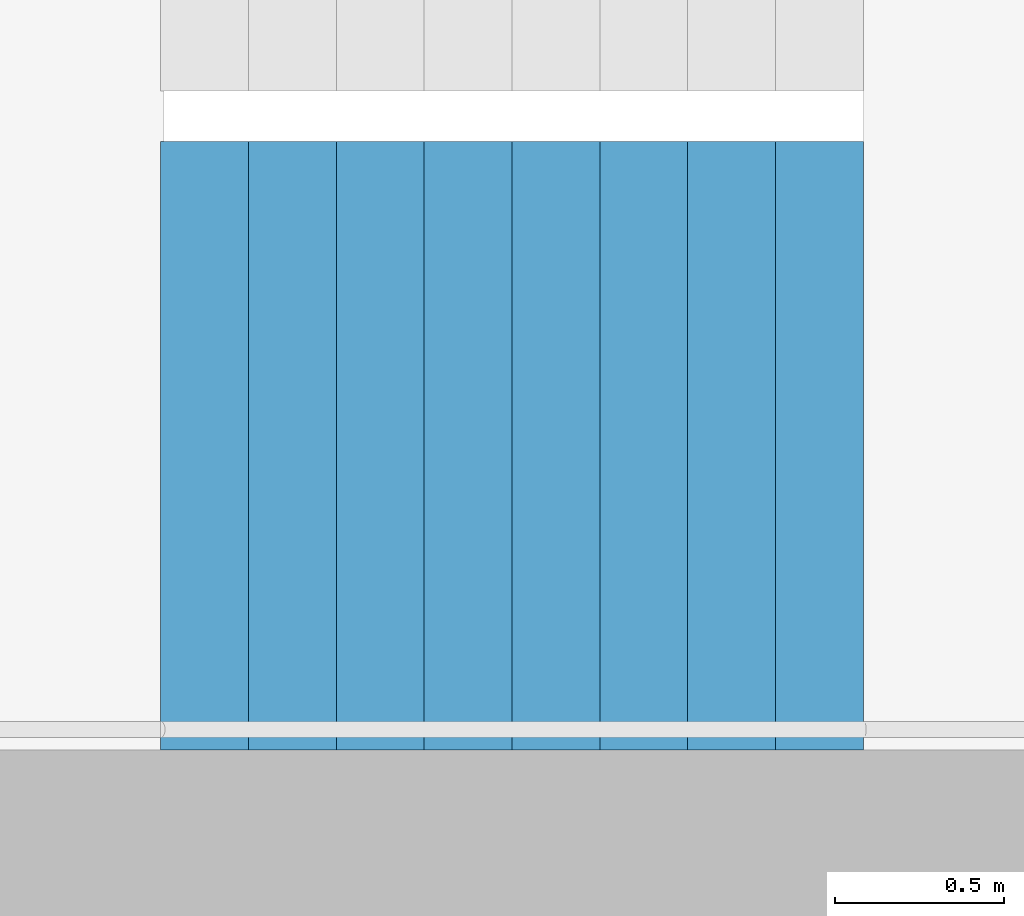
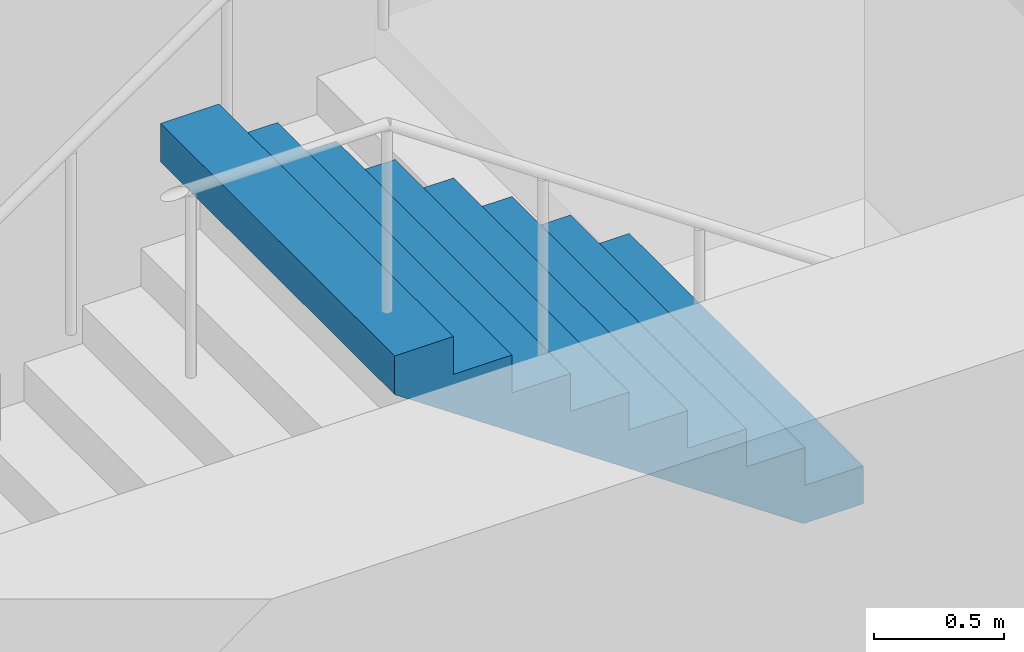
# One storey, part 25 of 36: 1 stair flight, 1 element without a shape of its own.
"""IFC4 building model written with IfcOpenShell, lengths in metres."""

from ifc_helpers import new_model, si_unit, direction, frame, origin, place, context, subcontext, project, spatial, triangles, material, type_object, element, aggregate, save


model = new_model("IFC4")

# Units and contexts
model_context = context("Model", 3, precision=1e-05, world=origin(), true_north=direction((0.0, 1.0)))
body_context = subcontext(model_context, "Body", "Model", "MODEL_VIEW")
ifc_project = project(units=[si_unit("LENGTHUNIT", "METRE"), si_unit("AREAUNIT", "SQUARE_METRE"), si_unit("VOLUMEUNIT", "CUBIC_METRE"), si_unit("PLANEANGLEUNIT", "RADIAN"), si_unit("MASSUNIT", "GRAM", prefix="KILO")], contexts=[model_context])

# Site, building, storey
site_placement = place(None, origin())
site = spatial("IfcSite", under=ifc_project, at=site_placement, CompositionType="ELEMENT")
building_placement = place(site_placement, origin())
building = spatial("IfcBuilding", under=site, at=building_placement, Name="Hakoniwa Tower and Hamabe Station Hall", CompositionType="ELEMENT")
storey_placement = place(building_placement, frame((0.0, 0.0, 26.199951171875)))
storey = spatial("IfcBuildingStorey", under=building, at=storey_placement, Name="L06", CompositionType="ELEMENT", Elevation=26.199951171875)

# Stair, stair flight
ifc_material_1 = material(Name="Concrete C40", Category="concrete")
stair_type = type_object("IfcStairType", Name="ESCAPE STAIR 1800", PredefinedType="HALF_TURN_STAIR", material=ifc_material_1)
stair_placement = place(storey_placement, origin())
stair = element("IfcStair", 1, at=stair_placement, inside=storey, type_object=stair_type, Name="Escape stair ST-4 L06", PredefinedType="HALF_TURN_STAIR")
ifc_material_2 = material(Name="Concrete C40", Category="concrete")
stair_flight_type = type_object("IfcStairFlightType", Name="STAIR FLIGHT 1800", PredefinedType="STRAIGHT", material=ifc_material_2)
stair_flight_placement = place(storey_placement, frame((25.47998046875, -6.60009765625, 1.60009765625), z_axis=(0.0, 0.0, 1.0), x_axis=(-1.0, 0.0, 0.0)))
stair_flight = element("IfcStairFlight", 2, at=stair_flight_placement, type_object=stair_flight_type, Name="ST-4 flight 2", NumberOfRisers=9, NumberOfTreads=8, PredefinedType="STRAIGHT", RiserHeight=0.177777778, TreadLength=0.26, context=body_context, shape_type="Tessellation", body=[
    triangles([(0.0, 0.89990234375, 0.0), (0.260009765625, 0.89990234375, 0.0), (0.265625, 0.89990234375, 0.0), (0.52001953125, 0.89990234375, 0.174072265625), (0.780029296875, 0.89990234375, 0.351806640625), (1.0400390625, 0.89990234375, 0.529541015625), (1.300048828125, 0.89990234375, 0.707275390625), (1.56005859375, 0.89990234375, 0.885009765625), (1.820068359375, 0.89990234375, 1.062744140625), (2.080078125, 0.89990234375, 1.24072265625), (2.080078125, 0.89990234375, 1.422119140625), (1.820068359375, 0.89990234375, 1.422119140625), (1.820068359375, 0.89990234375, 1.244384765625), (1.56005859375, 0.89990234375, 1.244384765625), (1.56005859375, 0.89990234375, 1.066650390625), (1.300048828125, 0.89990234375, 1.066650390625), (1.300048828125, 0.89990234375, 0.888916015625), (1.0400390625, 0.89990234375, 0.888916015625), (1.0400390625, 0.89990234375, 0.711181640625), (0.780029296875, 0.89990234375, 0.711181640625), (0.780029296875, 0.89990234375, 0.533447265625), (0.52001953125, 0.89990234375, 0.533447265625), (0.52001953125, 0.89990234375, 0.35546875), (0.265625, 0.89990234375, 0.35546875), (0.260009765625, 0.89990234375, 0.35546875), (0.260009765625, 0.89990234375, 0.177734375), (0.0, 0.89990234375, 0.177734375), (0.0, 0.06005859375, 0.0), (0.260009765625, 0.06005859375, 0.0), (0.265625, 0.06005859375, 0.0), (0.52001953125, 0.06005859375, 0.174072265625), (0.780029296875, 0.06005859375, 0.351806640625), (1.0400390625, 0.06005859375, 0.529541015625), (1.300048828125, 0.06005859375, 0.707275390625), (1.56005859375, 0.06005859375, 0.885009765625), (1.820068359375, 0.06005859375, 1.062744140625), (2.080078125, 0.06005859375, 1.24072265625), (2.080078125, 0.06005859375, 1.422119140625), (1.820068359375, 0.06005859375, 1.422119140625), (1.820068359375, 0.06005859375, 1.244384765625), (1.56005859375, 0.06005859375, 1.244384765625), (1.56005859375, 0.06005859375, 1.066650390625), (1.300048828125, 0.06005859375, 1.066650390625), (1.300048828125, 0.06005859375, 0.888916015625), (1.0400390625, 0.06005859375, 0.888916015625), (1.0400390625, 0.06005859375, 0.711181640625), (0.780029296875, 0.06005859375, 0.711181640625), (0.780029296875, 0.06005859375, 0.533447265625), (0.52001953125, 0.06005859375, 0.533447265625), (0.52001953125, 0.06005859375, 0.35546875), (0.265625, 0.06005859375, 0.35546875), (0.260009765625, 0.06005859375, 0.35546875), (0.260009765625, 0.06005859375, 0.177734375), (0.0, 0.06005859375, 0.177734375), (0.0, 0.04296875, 0.0), (0.260009765625, 0.04296875, 0.0), (0.265625, 0.04296875, 0.0), (0.52001953125, 0.04296875, 0.174072265625), (0.780029296875, 0.04296875, 0.351806640625), (1.0400390625, 0.04296875, 0.529541015625), (1.300048828125, 0.04296875, 0.707275390625), (1.56005859375, 0.04296875, 0.885009765625), (1.820068359375, 0.04296875, 1.062744140625), (2.080078125, 0.04296875, 1.24072265625), (2.080078125, 0.04296875, 1.422119140625), (1.820068359375, 0.04296875, 1.422119140625), (1.820068359375, 0.04296875, 1.244384765625), (1.56005859375, 0.04296875, 1.244384765625), (1.56005859375, 0.04296875, 1.066650390625), (1.300048828125, 0.04296875, 1.066650390625), (1.300048828125, 0.04296875, 0.888916015625), (1.0400390625, 0.04296875, 0.888916015625), (1.0400390625, 0.04296875, 0.711181640625), (0.780029296875, 0.04296875, 0.711181640625), (0.780029296875, 0.04296875, 0.533447265625), (0.52001953125, 0.04296875, 0.533447265625), (0.52001953125, 0.04296875, 0.35546875), (0.265625, 0.04296875, 0.35546875), (0.260009765625, 0.04296875, 0.35546875), (0.260009765625, 0.04296875, 0.177734375), (0.0, 0.04296875, 0.177734375), (0.0, 0.025634765625, 0.0), (0.260009765625, 0.025634765625, 0.0), (0.265625, 0.025634765625, 0.0), (0.52001953125, 0.025634765625, 0.174072265625), (0.780029296875, 0.025634765625, 0.351806640625), (1.0400390625, 0.025634765625, 0.529541015625), (1.300048828125, 0.025634765625, 0.707275390625), (1.56005859375, 0.025634765625, 0.885009765625), (1.820068359375, 0.025634765625, 1.062744140625), (2.080078125, 0.025634765625, 1.24072265625), (2.080078125, 0.025634765625, 1.422119140625), (1.820068359375, 0.025634765625, 1.422119140625), (1.820068359375, 0.025634765625, 1.244384765625), (1.56005859375, 0.025634765625, 1.244384765625), (1.56005859375, 0.025634765625, 1.066650390625), (1.300048828125, 0.025634765625, 1.066650390625), (1.300048828125, 0.025634765625, 0.888916015625), (1.0400390625, 0.025634765625, 0.888916015625), (1.0400390625, 0.025634765625, 0.711181640625), (0.780029296875, 0.025634765625, 0.711181640625), (0.780029296875, 0.025634765625, 0.533447265625), (0.52001953125, 0.025634765625, 0.533447265625), (0.52001953125, 0.025634765625, 0.35546875), (0.265625, 0.025634765625, 0.35546875), (0.260009765625, 0.025634765625, 0.35546875), (0.260009765625, 0.025634765625, 0.177734375), (0.0, 0.025634765625, 0.177734375), (0.0, 0.008544921875, 0.0), (0.260009765625, 0.008544921875, 0.0), (0.265625, 0.008544921875, 0.0), (0.52001953125, 0.008544921875, 0.174072265625), (0.780029296875, 0.008544921875, 0.351806640625), (1.0400390625, 0.008544921875, 0.529541015625), (1.300048828125, 0.008544921875, 0.707275390625), (1.56005859375, 0.008544921875, 0.885009765625), (1.820068359375, 0.008544921875, 1.062744140625), (2.080078125, 0.008544921875, 1.24072265625), (2.080078125, 0.008544921875, 1.422119140625), (1.820068359375, 0.008544921875, 1.422119140625), (1.820068359375, 0.008544921875, 1.244384765625), (1.56005859375, 0.008544921875, 1.244384765625), (1.56005859375, 0.008544921875, 1.066650390625), (1.300048828125, 0.008544921875, 1.066650390625), (1.300048828125, 0.008544921875, 0.888916015625), (1.0400390625, 0.008544921875, 0.888916015625), (1.0400390625, 0.008544921875, 0.711181640625), (0.780029296875, 0.008544921875, 0.711181640625), (0.780029296875, 0.008544921875, 0.533447265625), (0.52001953125, 0.008544921875, 0.533447265625), (0.52001953125, 0.008544921875, 0.35546875), (0.265625, 0.008544921875, 0.35546875), (0.260009765625, 0.008544921875, 0.35546875), (0.260009765625, 0.008544921875, 0.177734375), (0.0, 0.008544921875, 0.177734375), (0.0, -0.008544921875, 0.0), (0.260009765625, -0.008544921875, 0.0), (0.265625, -0.008544921875, 0.0), (0.52001953125, -0.008544921875, 0.174072265625), (0.780029296875, -0.008544921875, 0.351806640625), (1.0400390625, -0.008544921875, 0.529541015625), (1.300048828125, -0.008544921875, 0.707275390625), (1.56005859375, -0.008544921875, 0.885009765625), (1.820068359375, -0.008544921875, 1.062744140625), (2.080078125, -0.008544921875, 1.24072265625), (2.080078125, -0.008544921875, 1.422119140625), (1.820068359375, -0.008544921875, 1.422119140625), (1.820068359375, -0.008544921875, 1.244384765625), (1.56005859375, -0.008544921875, 1.244384765625), (1.56005859375, -0.008544921875, 1.066650390625), (1.300048828125, -0.008544921875, 1.066650390625), (1.300048828125, -0.008544921875, 0.888916015625), (1.0400390625, -0.008544921875, 0.888916015625), (1.0400390625, -0.008544921875, 0.711181640625), (0.780029296875, -0.008544921875, 0.711181640625), (0.780029296875, -0.008544921875, 0.533447265625), (0.52001953125, -0.008544921875, 0.533447265625), (0.52001953125, -0.008544921875, 0.35546875), (0.265625, -0.008544921875, 0.35546875), (0.260009765625, -0.008544921875, 0.35546875), (0.260009765625, -0.008544921875, 0.177734375), (0.0, -0.008544921875, 0.177734375), (0.0, -0.025634765625, 0.0), (0.260009765625, -0.025634765625, 0.0), (0.265625, -0.025634765625, 0.0), (0.52001953125, -0.025634765625, 0.174072265625), (0.780029296875, -0.025634765625, 0.351806640625), (1.0400390625, -0.025634765625, 0.529541015625), (1.300048828125, -0.025634765625, 0.707275390625), (1.56005859375, -0.025634765625, 0.885009765625), (1.820068359375, -0.025634765625, 1.062744140625), (2.080078125, -0.025634765625, 1.24072265625), (2.080078125, -0.025634765625, 1.422119140625), (1.820068359375, -0.025634765625, 1.422119140625), (1.820068359375, -0.025634765625, 1.244384765625), (1.56005859375, -0.025634765625, 1.244384765625), (1.56005859375, -0.025634765625, 1.066650390625), (1.300048828125, -0.025634765625, 1.066650390625), (1.300048828125, -0.025634765625, 0.888916015625), (1.0400390625, -0.025634765625, 0.888916015625), (1.0400390625, -0.025634765625, 0.711181640625), (0.780029296875, -0.025634765625, 0.711181640625), (0.780029296875, -0.025634765625, 0.533447265625), (0.52001953125, -0.025634765625, 0.533447265625), (0.52001953125, -0.025634765625, 0.35546875), (0.265625, -0.025634765625, 0.35546875), (0.260009765625, -0.025634765625, 0.35546875), (0.260009765625, -0.025634765625, 0.177734375), (0.0, -0.025634765625, 0.177734375), (0.0, -0.04296875, 0.0), (0.260009765625, -0.04296875, 0.0), (0.265625, -0.04296875, 0.0), (0.52001953125, -0.04296875, 0.174072265625), (0.780029296875, -0.04296875, 0.351806640625), (1.0400390625, -0.04296875, 0.529541015625), (1.300048828125, -0.04296875, 0.707275390625), (1.56005859375, -0.04296875, 0.885009765625), (1.820068359375, -0.04296875, 1.062744140625), (2.080078125, -0.04296875, 1.24072265625), (2.080078125, -0.04296875, 1.422119140625), (1.820068359375, -0.04296875, 1.422119140625), (1.820068359375, -0.04296875, 1.244384765625), (1.56005859375, -0.04296875, 1.244384765625), (1.56005859375, -0.04296875, 1.066650390625), (1.300048828125, -0.04296875, 1.066650390625), (1.300048828125, -0.04296875, 0.888916015625), (1.0400390625, -0.04296875, 0.888916015625), (1.0400390625, -0.04296875, 0.711181640625), (0.780029296875, -0.04296875, 0.711181640625), (0.780029296875, -0.04296875, 0.533447265625), (0.52001953125, -0.04296875, 0.533447265625), (0.52001953125, -0.04296875, 0.35546875), (0.265625, -0.04296875, 0.35546875), (0.260009765625, -0.04296875, 0.35546875), (0.260009765625, -0.04296875, 0.177734375), (0.0, -0.04296875, 0.177734375), (0.0, -0.06005859375, 0.0), (0.260009765625, -0.06005859375, 0.0), (0.265625, -0.06005859375, 0.0), (0.52001953125, -0.06005859375, 0.174072265625), (0.780029296875, -0.06005859375, 0.351806640625), (1.0400390625, -0.06005859375, 0.529541015625), (1.300048828125, -0.06005859375, 0.707275390625), (1.56005859375, -0.06005859375, 0.885009765625), (1.820068359375, -0.06005859375, 1.062744140625), (2.080078125, -0.06005859375, 1.24072265625), (2.080078125, -0.06005859375, 1.422119140625), (1.820068359375, -0.06005859375, 1.422119140625), (1.820068359375, -0.06005859375, 1.244384765625), (1.56005859375, -0.06005859375, 1.244384765625), (1.56005859375, -0.06005859375, 1.066650390625), (1.300048828125, -0.06005859375, 1.066650390625), (1.300048828125, -0.06005859375, 0.888916015625), (1.0400390625, -0.06005859375, 0.888916015625), (1.0400390625, -0.06005859375, 0.711181640625), (0.780029296875, -0.06005859375, 0.711181640625), (0.780029296875, -0.06005859375, 0.533447265625), (0.52001953125, -0.06005859375, 0.533447265625), (0.52001953125, -0.06005859375, 0.35546875), (0.265625, -0.06005859375, 0.35546875), (0.260009765625, -0.06005859375, 0.35546875), (0.260009765625, -0.06005859375, 0.177734375), (0.0, -0.06005859375, 0.177734375), (0.0, -0.89990234375, 0.0), (0.260009765625, -0.89990234375, 0.0), (0.265625, -0.89990234375, 0.0), (0.52001953125, -0.89990234375, 0.174072265625), (0.780029296875, -0.89990234375, 0.351806640625), (1.0400390625, -0.89990234375, 0.529541015625), (1.300048828125, -0.89990234375, 0.707275390625), (1.56005859375, -0.89990234375, 0.885009765625), (1.820068359375, -0.89990234375, 1.062744140625), (2.080078125, -0.89990234375, 1.24072265625), (2.080078125, -0.89990234375, 1.422119140625), (1.820068359375, -0.89990234375, 1.422119140625), (1.820068359375, -0.89990234375, 1.244384765625), (1.56005859375, -0.89990234375, 1.244384765625), (1.56005859375, -0.89990234375, 1.066650390625), (1.300048828125, -0.89990234375, 1.066650390625), (1.300048828125, -0.89990234375, 0.888916015625), (1.0400390625, -0.89990234375, 0.888916015625), (1.0400390625, -0.89990234375, 0.711181640625), (0.780029296875, -0.89990234375, 0.711181640625), (0.780029296875, -0.89990234375, 0.533447265625), (0.52001953125, -0.89990234375, 0.533447265625), (0.52001953125, -0.89990234375, 0.35546875), (0.265625, -0.89990234375, 0.35546875), (0.260009765625, -0.89990234375, 0.35546875), (0.260009765625, -0.89990234375, 0.177734375), (0.0, -0.89990234375, 0.177734375)], [[2, 27, 26], [245, 269, 270], [2, 1, 27], [245, 270, 244], [3, 25, 24], [246, 267, 268], [3, 26, 25], [246, 268, 269], [3, 2, 26], [246, 269, 245], [4, 24, 23], [247, 266, 267], [4, 3, 24], [247, 267, 246], [5, 22, 21], [248, 264, 265], [5, 23, 22], [248, 265, 266], [5, 4, 23], [248, 266, 247], [6, 20, 19], [249, 262, 263], [6, 21, 20], [249, 263, 264], [6, 5, 21], [249, 264, 248], [7, 18, 17], [250, 260, 261], [7, 19, 18], [250, 261, 262], [7, 6, 19], [250, 262, 249], [8, 16, 15], [251, 258, 259], [8, 17, 16], [251, 259, 260], [8, 7, 17], [251, 260, 250], [9, 14, 13], [252, 256, 257], [9, 15, 14], [252, 257, 258], [9, 8, 15], [252, 258, 251], [10, 12, 11], [253, 254, 255], [10, 13, 12], [253, 255, 256], [10, 9, 13], [253, 256, 252], [1, 2, 29], [1, 29, 28], [28, 29, 56], [28, 56, 55], [55, 56, 83], [55, 83, 82], [82, 83, 110], [82, 110, 109], [109, 110, 137], [109, 137, 136], [136, 137, 164], [136, 164, 163], [163, 164, 191], [163, 191, 190], [190, 191, 218], [190, 218, 217], [217, 218, 245], [217, 245, 244], [2, 3, 30], [2, 30, 29], [29, 30, 57], [29, 57, 56], [56, 57, 84], [56, 84, 83], [83, 84, 111], [83, 111, 110], [110, 111, 138], [110, 138, 137], [137, 138, 165], [137, 165, 164], [164, 165, 192], [164, 192, 191], [191, 192, 219], [191, 219, 218], [218, 219, 246], [218, 246, 245], [3, 4, 31], [3, 31, 30], [30, 31, 58], [30, 58, 57], [57, 58, 85], [57, 85, 84], [84, 85, 112], [84, 112, 111], [111, 112, 139], [111, 139, 138], [138, 139, 166], [138, 166, 165], [165, 166, 193], [165, 193, 192], [192, 193, 220], [192, 220, 219], [219, 220, 247], [219, 247, 246], [4, 5, 32], [4, 32, 31], [31, 32, 59], [31, 59, 58], [58, 59, 86], [58, 86, 85], [85, 86, 113], [85, 113, 112], [112, 113, 140], [112, 140, 139], [139, 140, 167], [139, 167, 166], [166, 167, 194], [166, 194, 193], [193, 194, 221], [193, 221, 220], [220, 221, 248], [220, 248, 247], [5, 6, 33], [5, 33, 32], [32, 33, 60], [32, 60, 59], [59, 60, 87], [59, 87, 86], [86, 87, 114], [86, 114, 113], [113, 114, 141], [113, 141, 140], [140, 141, 168], [140, 168, 167], [167, 168, 195], [167, 195, 194], [194, 195, 222], [194, 222, 221], [221, 222, 249], [221, 249, 248], [6, 7, 34], [6, 34, 33], [33, 34, 61], [33, 61, 60], [60, 61, 88], [60, 88, 87], [87, 88, 115], [87, 115, 114], [114, 115, 142], [114, 142, 141], [141, 142, 169], [141, 169, 168], [168, 169, 196], [168, 196, 195], [195, 196, 223], [195, 223, 222], [222, 223, 250], [222, 250, 249], [7, 8, 35], [7, 35, 34], [34, 35, 62], [34, 62, 61], [61, 62, 89], [61, 89, 88], [88, 89, 116], [88, 116, 115], [115, 116, 143], [115, 143, 142], [142, 143, 170], [142, 170, 169], [169, 170, 197], [169, 197, 196], [196, 197, 224], [196, 224, 223], [223, 224, 251], [223, 251, 250], [8, 9, 36], [8, 36, 35], [35, 36, 63], [35, 63, 62], [62, 63, 90], [62, 90, 89], [89, 90, 117], [89, 117, 116], [116, 117, 144], [116, 144, 143], [143, 144, 171], [143, 171, 170], [170, 171, 198], [170, 198, 197], [197, 198, 225], [197, 225, 224], [224, 225, 252], [224, 252, 251], [9, 10, 37], [9, 37, 36], [36, 37, 64], [36, 64, 63], [63, 64, 91], [63, 91, 90], [90, 91, 118], [90, 118, 117], [117, 118, 145], [117, 145, 144], [144, 145, 172], [144, 172, 171], [171, 172, 199], [171, 199, 198], [198, 199, 226], [198, 226, 225], [225, 226, 253], [225, 253, 252], [10, 11, 38], [10, 38, 37], [37, 38, 65], [37, 65, 64], [64, 65, 92], [64, 92, 91], [91, 92, 119], [91, 119, 118], [118, 119, 146], [118, 146, 145], [145, 146, 173], [145, 173, 172], [172, 173, 200], [172, 200, 199], [199, 200, 227], [199, 227, 226], [226, 227, 254], [226, 254, 253], [11, 12, 39], [11, 39, 38], [38, 39, 66], [38, 66, 65], [65, 66, 93], [65, 93, 92], [92, 93, 120], [92, 120, 119], [119, 120, 147], [119, 147, 146], [146, 147, 174], [146, 174, 173], [173, 174, 201], [173, 201, 200], [200, 201, 228], [200, 228, 227], [227, 228, 255], [227, 255, 254], [12, 13, 40], [12, 40, 39], [39, 40, 67], [39, 67, 66], [66, 67, 94], [66, 94, 93], [93, 94, 121], [93, 121, 120], [120, 121, 148], [120, 148, 147], [147, 148, 175], [147, 175, 174], [174, 175, 202], [174, 202, 201], [201, 202, 229], [201, 229, 228], [228, 229, 256], [228, 256, 255], [13, 14, 41], [13, 41, 40], [40, 41, 68], [40, 68, 67], [67, 68, 95], [67, 95, 94], [94, 95, 122], [94, 122, 121], [121, 122, 149], [121, 149, 148], [148, 149, 176], [148, 176, 175], [175, 176, 203], [175, 203, 202], [202, 203, 230], [202, 230, 229], [229, 230, 257], [229, 257, 256], [14, 15, 42], [14, 42, 41], [41, 42, 69], [41, 69, 68], [68, 69, 96], [68, 96, 95], [95, 96, 123], [95, 123, 122], [122, 123, 150], [122, 150, 149], [149, 150, 177], [149, 177, 176], [176, 177, 204], [176, 204, 203], [203, 204, 231], [203, 231, 230], [230, 231, 258], [230, 258, 257], [15, 16, 43], [15, 43, 42], [42, 43, 70], [42, 70, 69], [69, 70, 97], [69, 97, 96], [96, 97, 124], [96, 124, 123], [123, 124, 151], [123, 151, 150], [150, 151, 178], [150, 178, 177], [177, 178, 205], [177, 205, 204], [204, 205, 232], [204, 232, 231], [231, 232, 259], [231, 259, 258], [16, 17, 44], [16, 44, 43], [43, 44, 71], [43, 71, 70], [70, 71, 98], [70, 98, 97], [97, 98, 125], [97, 125, 124], [124, 125, 152], [124, 152, 151], [151, 152, 179], [151, 179, 178], [178, 179, 206], [178, 206, 205], [205, 206, 233], [205, 233, 232], [232, 233, 260], [232, 260, 259], [17, 18, 45], [17, 45, 44], [44, 45, 72], [44, 72, 71], [71, 72, 99], [71, 99, 98], [98, 99, 126], [98, 126, 125], [125, 126, 153], [125, 153, 152], [152, 153, 180], [152, 180, 179], [179, 180, 207], [179, 207, 206], [206, 207, 234], [206, 234, 233], [233, 234, 261], [233, 261, 260], [18, 19, 46], [18, 46, 45], [45, 46, 73], [45, 73, 72], [72, 73, 100], [72, 100, 99], [99, 100, 127], [99, 127, 126], [126, 127, 154], [126, 154, 153], [153, 154, 181], [153, 181, 180], [180, 181, 208], [180, 208, 207], [207, 208, 235], [207, 235, 234], [234, 235, 262], [234, 262, 261], [19, 20, 47], [19, 47, 46], [46, 47, 74], [46, 74, 73], [73, 74, 101], [73, 101, 100], [100, 101, 128], [100, 128, 127], [127, 128, 155], [127, 155, 154], [154, 155, 182], [154, 182, 181], [181, 182, 209], [181, 209, 208], [208, 209, 236], [208, 236, 235], [235, 236, 263], [235, 263, 262], [20, 21, 48], [20, 48, 47], [47, 48, 75], [47, 75, 74], [74, 75, 102], [74, 102, 101], [101, 102, 129], [101, 129, 128], [128, 129, 156], [128, 156, 155], [155, 156, 183], [155, 183, 182], [182, 183, 210], [182, 210, 209], [209, 210, 237], [209, 237, 236], [236, 237, 264], [236, 264, 263], [21, 22, 49], [21, 49, 48], [48, 49, 76], [48, 76, 75], [75, 76, 103], [75, 103, 102], [102, 103, 130], [102, 130, 129], [129, 130, 157], [129, 157, 156], [156, 157, 184], [156, 184, 183], [183, 184, 211], [183, 211, 210], [210, 211, 238], [210, 238, 237], [237, 238, 265], [237, 265, 264], [22, 23, 50], [22, 50, 49], [49, 50, 77], [49, 77, 76], [76, 77, 104], [76, 104, 103], [103, 104, 131], [103, 131, 130], [130, 131, 158], [130, 158, 157], [157, 158, 185], [157, 185, 184], [184, 185, 212], [184, 212, 211], [211, 212, 239], [211, 239, 238], [238, 239, 266], [238, 266, 265], [23, 24, 51], [23, 51, 50], [50, 51, 78], [50, 78, 77], [77, 78, 105], [77, 105, 104], [104, 105, 132], [104, 132, 131], [131, 132, 159], [131, 159, 158], [158, 159, 186], [158, 186, 185], [185, 186, 213], [185, 213, 212], [212, 213, 240], [212, 240, 239], [239, 240, 267], [239, 267, 266], [24, 25, 52], [24, 52, 51], [51, 52, 79], [51, 79, 78], [78, 79, 106], [78, 106, 105], [105, 106, 133], [105, 133, 132], [132, 133, 160], [132, 160, 159], [159, 160, 187], [159, 187, 186], [186, 187, 214], [186, 214, 213], [213, 214, 241], [213, 241, 240], [240, 241, 268], [240, 268, 267], [25, 26, 53], [25, 53, 52], [52, 53, 80], [52, 80, 79], [79, 80, 107], [79, 107, 106], [106, 107, 134], [106, 134, 133], [133, 134, 161], [133, 161, 160], [160, 161, 188], [160, 188, 187], [187, 188, 215], [187, 215, 214], [214, 215, 242], [214, 242, 241], [241, 242, 269], [241, 269, 268], [26, 27, 54], [26, 54, 53], [53, 54, 81], [53, 81, 80], [80, 81, 108], [80, 108, 107], [107, 108, 135], [107, 135, 134], [134, 135, 162], [134, 162, 161], [161, 162, 189], [161, 189, 188], [188, 189, 216], [188, 216, 215], [215, 216, 243], [215, 243, 242], [242, 243, 270], [242, 270, 269], [27, 1, 28], [27, 28, 54], [54, 28, 55], [54, 55, 81], [81, 55, 82], [81, 82, 108], [108, 82, 109], [108, 109, 135], [135, 109, 136], [135, 136, 162], [162, 136, 163], [162, 163, 189], [189, 163, 190], [189, 190, 216], [216, 190, 217], [216, 217, 243], [243, 217, 244], [243, 244, 270]], closed=True),
])
aggregate(stair, [stair_flight])

save(model, "model.ifc")
